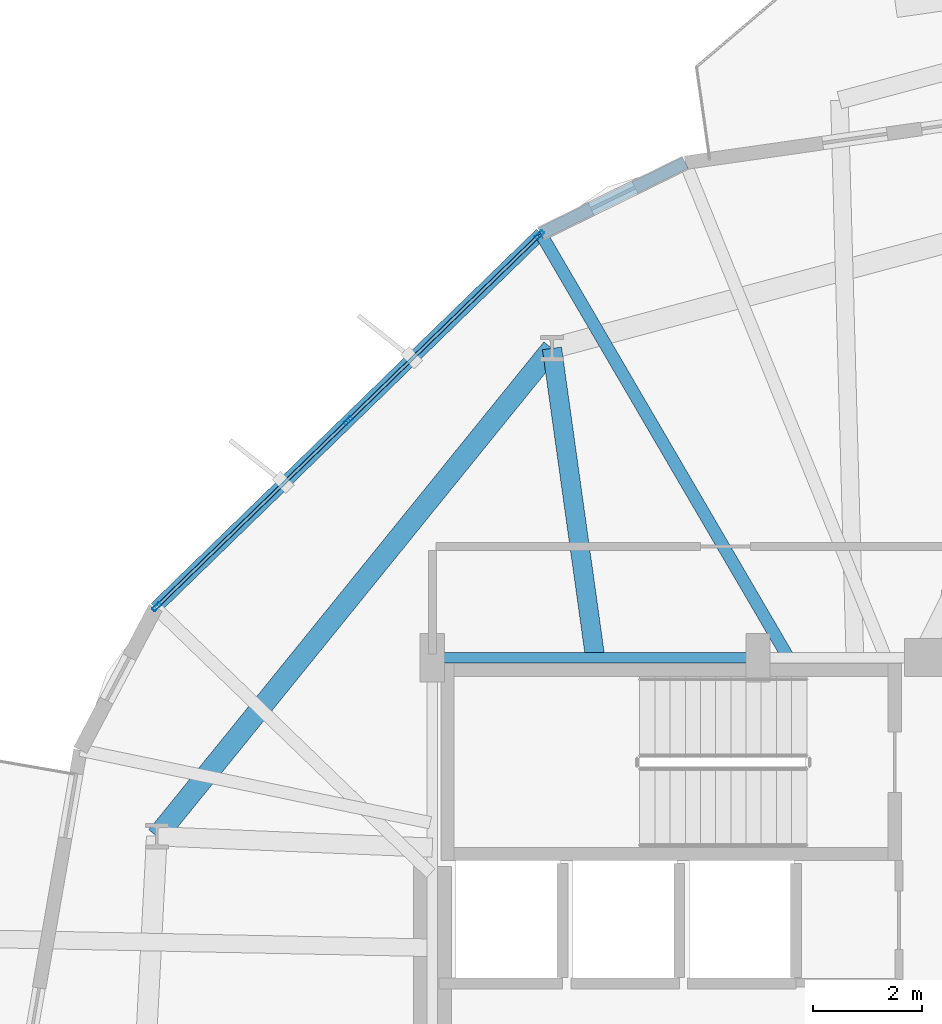
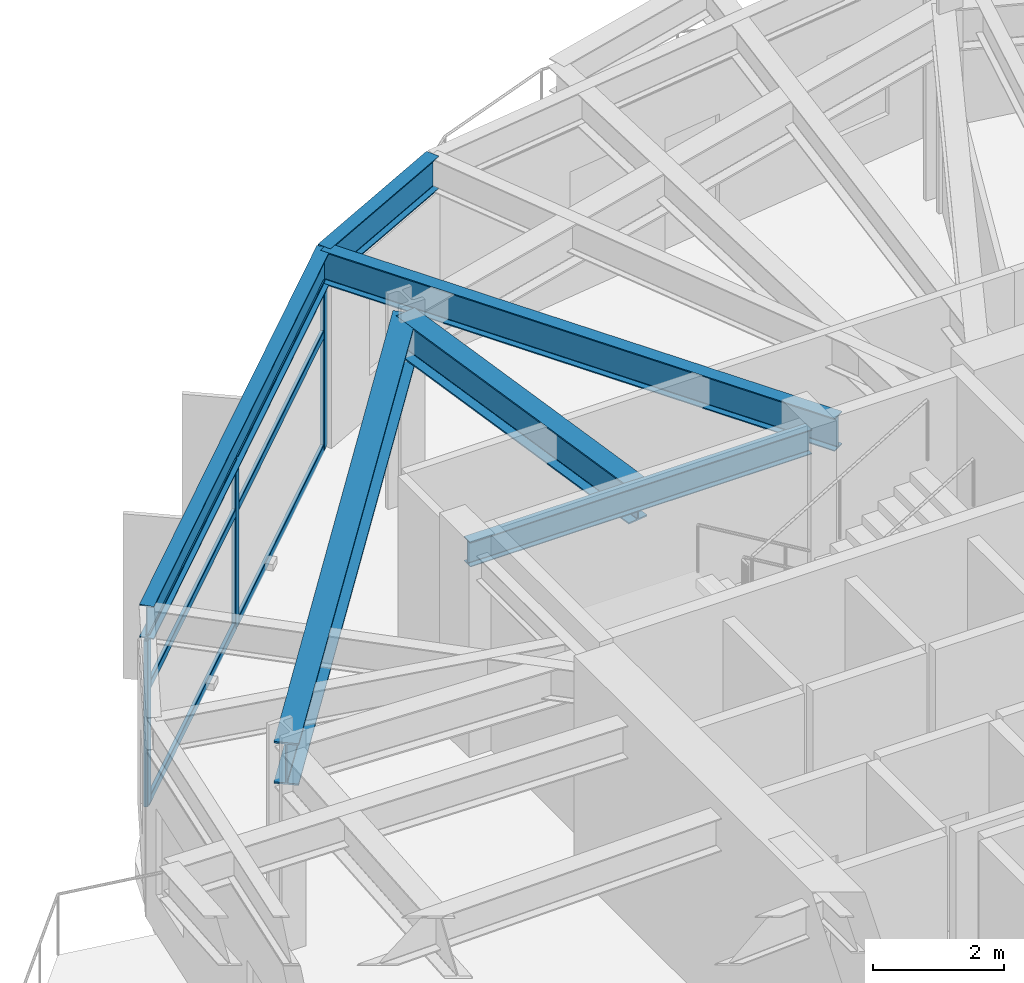
# One storey, part 11 of 22: 9 members, 6 beams, 1 element without a shape of its own.
"""IFC4 building model written with IfcOpenShell, lengths in metres."""

from ifc_helpers import new_model, si_unit, direction, frame, origin, origin_2d, place, context, subcontext, project, spatial, hollow_rectangle, i_section, extrude, material, layer, layer_set, material_profile, profile_set, type_object, element, aggregate, save


model = new_model("IFC4")

# Units and contexts
model_context = context("Model", 3, precision=1e-05, world=origin(), true_north=direction((0.0, 1.0)))
body_context = subcontext(model_context, "Body", "Model", "MODEL_VIEW")
ifc_project = project(units=[si_unit("LENGTHUNIT", "METRE"), si_unit("AREAUNIT", "SQUARE_METRE"), si_unit("VOLUMEUNIT", "CUBIC_METRE"), si_unit("PLANEANGLEUNIT", "RADIAN"), si_unit("MASSUNIT", "GRAM", prefix="KILO")], contexts=[model_context])

# Site, building, storey
site_placement = place(None, origin())
site = spatial("IfcSite", under=ifc_project, at=site_placement, CompositionType="ELEMENT")
building_placement = place(site_placement, origin())
building = spatial("IfcBuilding", under=site, at=building_placement, Name="Soratama Intermodal Tower", CompositionType="ELEMENT")
storey_placement = place(building_placement, frame((0.0, 0.0, 58.60009765625)))
storey = spatial("IfcBuildingStorey", under=building, at=storey_placement, Name="L13", CompositionType="ELEMENT", Elevation=58.60009765625)

# Beams
ifc_material_1 = material(Name="Structural steel ASTM A992 Grade 50", Category="steel")
ifc_material_profile_1 = material_profile(ifc_material_1, i_section(OverallWidth=0.19091796875, OverallDepth=0.4599609375, WebThickness=0.010009765625, FlangeThickness=0.01611328125, FilletRadius=0.010986328125, at=origin_2d()), Name="W18X55")
ifc_profile_set_1 = profile_set([ifc_material_profile_1], Name="Structural steel ASTM A992 Grade 50")
beam_type_1 = type_object("IfcBeamType", Name="BM-FLR-W18X55", PredefinedType="BEAM", material=ifc_profile_set_1)
beam_1_placement = place(storey_placement, frame((38.60009765625, 35.0, 3.469970703125), z_axis=(-1.0, 0.0, 0.0), x_axis=(0.0, -1.0, 0.0)))
element("IfcBeam", 1, at=beam_1_placement, inside=storey, type_object=beam_type_1, Name="BM-L13-CRING-07", PredefinedType="BEAM", context=body_context, shape_type="SweptSolid", body=[
    extrude(i_section(OverallWidth=0.19091796875, OverallDepth=0.4599609375, WebThickness=0.010009765625, FlangeThickness=0.01611328125, FilletRadius=0.010986328125, at=origin_2d()), origin(), (0.0, 0.0, 1.0), 6.0),
])
ifc_material_2 = material(Name="Structural steel ASTM A992 Grade 50", Category="steel")
ifc_material_profile_2 = material_profile(ifc_material_2, i_section(OverallWidth=0.35498046875, OverallDepth=0.695068359375, WebThickness=0.015380859375, FlangeThickness=0.02490234375, FilletRadius=0.01611328125, at=origin_2d()), Name="W27X146")
ifc_profile_set_2 = profile_set([ifc_material_profile_2], Name="Structural steel ASTM A992 Grade 50")
beam_type_2 = type_object("IfcBeamType", Name="BM-RING-W27X146", PredefinedType="BEAM", material=ifc_profile_set_2)
beam_2_placement = place(storey_placement, frame((35.60009765625, 35.0, 3.352294921875), z_axis=(-0.138332473065, 0.990385847484, 0.0), x_axis=(-0.990385847484, -0.138332473065, 0.0)))
element("IfcBeam", 2, at=beam_2_placement, inside=storey, type_object=beam_type_2, Name="BM-L13-RAD-04", PredefinedType="BEAM", context=body_context, shape_type="SweptSolid", body=[
    extrude(i_section(OverallWidth=0.35498046875, OverallDepth=0.695068359375, WebThickness=0.015380859375, FlangeThickness=0.02490234375, FilletRadius=0.01611328125, at=origin_2d()), origin(), (0.0, 0.0, 1.0), 5.75537109375),
])
ifc_material_3 = material(Name="Structural steel ASTM A992 Grade 50", Category="steel")
ifc_material_profile_3 = material_profile(ifc_material_3, i_section(OverallWidth=0.382080078125, OverallDepth=0.779052734375, WebThickness=0.01806640625, FlangeThickness=0.030029296875, FilletRadius=0.01806640625, at=origin_2d()), Name="W30X191")
ifc_profile_set_3 = profile_set([ifc_material_profile_3], Name="Structural steel ASTM A992 Grade 50")
beam_type_3 = type_object("IfcBeamType", Name="BM-RING-W30X191", PredefinedType="BEAM", material=ifc_profile_set_3)
beam_3_placement = place(storey_placement, frame((34.803955078125, 40.699951171875, 3.310302734375), z_axis=(-0.629334198857, -0.777134779912, 0.0), x_axis=(0.777134779912, -0.629334198857, 0.0)))
element("IfcBeam", 3, at=beam_3_placement, inside=storey, type_object=beam_type_3, Name="BM-L13-RING-04", PredefinedType="BEAM", context=body_context, shape_type="SweptSolid", body=[
    extrude(i_section(OverallWidth=0.382080078125, OverallDepth=0.779052734375, WebThickness=0.01806640625, FlangeThickness=0.030029296875, FilletRadius=0.01806640625, at=origin_2d()), origin(), (0.0, 0.0, 1.0), 11.5693359375),
])
ifc_material_4 = material(Name="Structural steel ASTM A992 Grade 50", Category="steel")
ifc_material_profile_4 = material_profile(ifc_material_4, i_section(OverallWidth=0.22900390625, OverallDepth=0.612060546875, WebThickness=0.011962890625, FlangeThickness=0.01953125, FilletRadius=0.012939453125, at=origin_2d()), Name="W24X84")
ifc_profile_set_4 = profile_set([ifc_material_profile_4], Name="Structural steel ASTM A992 Grade 50")
beam_type_4 = type_object("IfcBeamType", Name="BM-SPN-W24X84", PredefinedType="SPANDREL", material=ifc_profile_set_4)
beam_4_placement = place(storey_placement, frame((37.260986328125, 44.12109375, 3.393798828125), z_axis=(-0.897564609266, -0.440882946136, 0.0), x_axis=(0.440882946136, -0.897564609266, 0.0)))
element("IfcBeam", 4, at=beam_4_placement, inside=storey, type_object=beam_type_4, Name="BS-L13-CRN03", PredefinedType="SPANDREL", context=body_context, shape_type="SweptSolid", body=[
    extrude(i_section(OverallWidth=0.22900390625, OverallDepth=0.612060546875, WebThickness=0.011962890625, FlangeThickness=0.01953125, FilletRadius=0.012939453125, at=origin_2d()), origin(), (0.0, 0.0, 1.0), 2.967041015625),
])
beam_5_placement = place(storey_placement, frame((34.597900390625, 42.81298828125, 3.393798828125), z_axis=(-0.717382260668, -0.696679762932, 0.0), x_axis=(0.696679762932, -0.717382260668, 0.0)))
element("IfcBeam", 5, at=beam_5_placement, inside=storey, type_object=beam_type_4, Name="BS-L13-F04", PredefinedType="SPANDREL", context=body_context, shape_type="SweptSolid", body=[
    extrude(i_section(OverallWidth=0.22900390625, OverallDepth=0.612060546875, WebThickness=0.011962890625, FlangeThickness=0.01953125, FilletRadius=0.012939453125, at=origin_2d()), origin(), (0.0, 0.0, 1.0), 9.894287109375),
])
ifc_material_5 = material(Name="Structural steel ASTM A992 Grade 50", Category="steel")
ifc_material_profile_5 = material_profile(ifc_material_5, i_section(OverallWidth=0.22900390625, OverallDepth=0.612060546875, WebThickness=0.011962890625, FlangeThickness=0.01953125, FilletRadius=0.012939453125, at=origin_2d()), Name="W24X84")
ifc_profile_set_5 = profile_set([ifc_material_profile_5], Name="Structural steel ASTM A992 Grade 50")
beam_type_5 = type_object("IfcBeamType", Name="BM-TIE-W24X84", PredefinedType="BEAM", material=ifc_profile_set_5)
beam_6_placement = place(storey_placement, frame((39.139892578125, 35.034912109375, 3.393798828125), z_axis=(-0.504267018927, 0.863547783057, 0.0), x_axis=(-0.863547783057, -0.504267018927, 0.0)))
element("IfcBeam", 6, at=beam_6_placement, inside=storey, type_object=beam_type_5, Name="BM-L13-TIE0-04", PredefinedType="BEAM", context=body_context, shape_type="SweptSolid", body=[
    extrude(i_section(OverallWidth=0.22900390625, OverallDepth=0.612060546875, WebThickness=0.011962890625, FlangeThickness=0.01953125, FilletRadius=0.012939453125, at=origin_2d()), origin(), (0.0, 0.0, 1.0), 9.007080078125),
])

# Curtain wall, members
ifc_material_6 = material(Name="Double-glazed aluminium curtain wall", Category="aluminium")
ifc_layer = layer(ifc_material_6, 0.159912109375)
ifc_layer_set = layer_set([ifc_layer], Name="Double-glazed aluminium curtain wall")
curtain_wall_type = type_object("IfcCurtainWallType", Name="CW-SYS-2", PredefinedType="NOTDEFINED", material=ifc_layer_set)
curtain_wall_placement = place(storey_placement, origin())
curtain_wall = element("IfcCurtainWall", 7, at=curtain_wall_placement, inside=storey, type_object=curtain_wall_type, Name="L13 Faceted Curtain Wall F04", PredefinedType="NOTDEFINED")
ifc_material_7 = material(Name="Anodised aluminium AA 6063-T6", Category="aluminium")
ifc_material_profile_6 = material_profile(ifc_material_7, hollow_rectangle(XDim=0.074951171875, YDim=0.179931640625, WallThickness=0.006103515625, InnerFilletRadius=0.006103515625, OuterFilletRadius=0.011962890625, at=origin_2d()), Name="CWM180X75X6")
ifc_profile_set_6 = profile_set([ifc_material_profile_6], Name="Anodised aluminium AA 6063-T6")
member_type_1 = type_object("IfcMemberType", Name="MT-CWM-2", PredefinedType="MULLION", material=ifc_profile_set_6)
member_1_placement = place(storey_placement, frame((34.576416015625, 42.791748046875, 0.0), z_axis=(0.0, 0.0, 1.0), x_axis=(0.696666075671, -0.717395552683, 0.0)))
member_1 = element("IfcMember", 8, at=member_1_placement, type_object=member_type_1, Name="CW-2 mullion 1", PredefinedType="MULLION", context=body_context, shape_type="SweptSolid", body=[
    extrude(hollow_rectangle(XDim=0.074951171875, YDim=0.179931640625, WallThickness=0.006103515625, InnerFilletRadius=0.006103515625, OuterFilletRadius=0.011962890625, at=origin_2d()), origin(), (0.0, 0.0, 1.0), 3.078857421875),
])
member_2_placement = place(storey_placement, frame((31.048828125, 39.3662109375, 0.0), z_axis=(0.0, 0.0, 1.0), x_axis=(0.696666075671, -0.717395552683, 0.0)))
member_2 = element("IfcMember", 9, at=member_2_placement, type_object=member_type_1, Name="CW-2 mullion 2", PredefinedType="MULLION", context=body_context, shape_type="SweptSolid", body=[
    extrude(hollow_rectangle(XDim=0.074951171875, YDim=0.179931640625, WallThickness=0.006103515625, InnerFilletRadius=0.006103515625, OuterFilletRadius=0.011962890625, at=origin_2d()), origin(), (0.0, 0.0, 1.0), 3.078857421875),
])
member_3_placement = place(storey_placement, frame((27.521484375, 35.940673828125, 0.0), z_axis=(0.0, 0.0, 1.0), x_axis=(0.696666075671, -0.717395552683, 0.0)))
member_3 = element("IfcMember", 10, at=member_3_placement, type_object=member_type_1, Name="CW-2 mullion 3", PredefinedType="MULLION", context=body_context, shape_type="SweptSolid", body=[
    extrude(hollow_rectangle(XDim=0.074951171875, YDim=0.179931640625, WallThickness=0.006103515625, InnerFilletRadius=0.006103515625, OuterFilletRadius=0.011962890625, at=origin_2d()), origin(), (0.0, 0.0, 1.0), 3.078857421875),
])
ifc_material_8 = material(Name="Anodised aluminium AA 6063-T6", Category="aluminium")
ifc_material_profile_7 = material_profile(ifc_material_8, hollow_rectangle(XDim=0.06494140625, YDim=0.14990234375, WallThickness=0.0048828125, InnerFilletRadius=0.0048828125, OuterFilletRadius=0.010009765625, at=origin_2d()), Name="CWT150X65X5")
ifc_profile_set_7 = profile_set([ifc_material_profile_7], Name="Anodised aluminium AA 6063-T6")
member_type_2 = type_object("IfcMemberType", Name="TT-CWT-1", PredefinedType="USERDEFINED", material=ifc_profile_set_7)
member_4_placement = place(storey_placement, frame((34.554931640625, 42.77099609375, 0.02978515625), z_axis=(-0.717409998297, -0.696651199916, 0.0), x_axis=(0.696651199916, -0.717409998297, 0.0)))
member_4 = element("IfcMember", 11, at=member_4_placement, type_object=member_type_2, Name="CW-2 transom 1.1", ObjectType="TRANSOM", PredefinedType="USERDEFINED", context=body_context, shape_type="SweptSolid", body=[
    extrude(hollow_rectangle(XDim=0.06494140625, YDim=0.14990234375, WallThickness=0.0048828125, InnerFilletRadius=0.0048828125, OuterFilletRadius=0.010009765625, at=origin_2d()), origin(), (0.0, 0.0, 1.0), 4.857177734375),
])
member_5_placement = place(storey_placement, frame((34.554931640625, 42.77099609375, 2.14990234375), z_axis=(-0.717409998297, -0.696651199916, 0.0), x_axis=(0.696651199916, -0.717409998297, 0.0)))
member_5 = element("IfcMember", 12, at=member_5_placement, type_object=member_type_2, Name="CW-2 transom 1.2", ObjectType="TRANSOM", PredefinedType="USERDEFINED", context=body_context, shape_type="SweptSolid", body=[
    extrude(hollow_rectangle(XDim=0.06494140625, YDim=0.14990234375, WallThickness=0.0048828125, InnerFilletRadius=0.0048828125, OuterFilletRadius=0.010009765625, at=origin_2d()), origin(), (0.0, 0.0, 1.0), 4.857177734375),
])
member_6_placement = place(storey_placement, frame((34.554931640625, 42.77099609375, 3.048828125), z_axis=(-0.717409998297, -0.696651199916, 0.0), x_axis=(0.696651199916, -0.717409998297, 0.0)))
member_6 = element("IfcMember", 13, at=member_6_placement, type_object=member_type_2, Name="CW-2 transom 1.3", ObjectType="TRANSOM", PredefinedType="USERDEFINED", context=body_context, shape_type="SweptSolid", body=[
    extrude(hollow_rectangle(XDim=0.06494140625, YDim=0.14990234375, WallThickness=0.0048828125, InnerFilletRadius=0.0048828125, OuterFilletRadius=0.010009765625, at=origin_2d()), origin(), (0.0, 0.0, 1.0), 4.857177734375),
])
member_7_placement = place(storey_placement, frame((31.02734375, 39.345458984375, 0.02978515625), z_axis=(-0.717385602982, -0.696676321281, 0.0), x_axis=(0.696676321281, -0.717385602982, 0.0)))
member_7 = element("IfcMember", 14, at=member_7_placement, type_object=member_type_2, Name="CW-2 transom 2.1", ObjectType="TRANSOM", PredefinedType="USERDEFINED", context=body_context, shape_type="SweptSolid", body=[
    extrude(hollow_rectangle(XDim=0.06494140625, YDim=0.14990234375, WallThickness=0.0048828125, InnerFilletRadius=0.0048828125, OuterFilletRadius=0.010009765625, at=origin_2d()), origin(), (0.0, 0.0, 1.0), 4.85693359375),
])
member_8_placement = place(storey_placement, frame((31.02734375, 39.345458984375, 2.14990234375), z_axis=(-0.717385602982, -0.696676321281, 0.0), x_axis=(0.696676321281, -0.717385602982, 0.0)))
member_8 = element("IfcMember", 15, at=member_8_placement, type_object=member_type_2, Name="CW-2 transom 2.2", ObjectType="TRANSOM", PredefinedType="USERDEFINED", context=body_context, shape_type="SweptSolid", body=[
    extrude(hollow_rectangle(XDim=0.06494140625, YDim=0.14990234375, WallThickness=0.0048828125, InnerFilletRadius=0.0048828125, OuterFilletRadius=0.010009765625, at=origin_2d()), origin(), (0.0, 0.0, 1.0), 4.85693359375),
])
member_9_placement = place(storey_placement, frame((31.02734375, 39.345458984375, 3.048828125), z_axis=(-0.717385602982, -0.696676321281, 0.0), x_axis=(0.696676321281, -0.717385602982, 0.0)))
member_9 = element("IfcMember", 16, at=member_9_placement, type_object=member_type_2, Name="CW-2 transom 2.3", ObjectType="TRANSOM", PredefinedType="USERDEFINED", context=body_context, shape_type="SweptSolid", body=[
    extrude(hollow_rectangle(XDim=0.06494140625, YDim=0.14990234375, WallThickness=0.0048828125, InnerFilletRadius=0.0048828125, OuterFilletRadius=0.010009765625, at=origin_2d()), origin(), (0.0, 0.0, 1.0), 4.85693359375),
])
aggregate(curtain_wall, [member_1, member_2, member_3, member_4, member_5, member_6, member_7, member_8, member_9])

save(model, "model.ifc")
